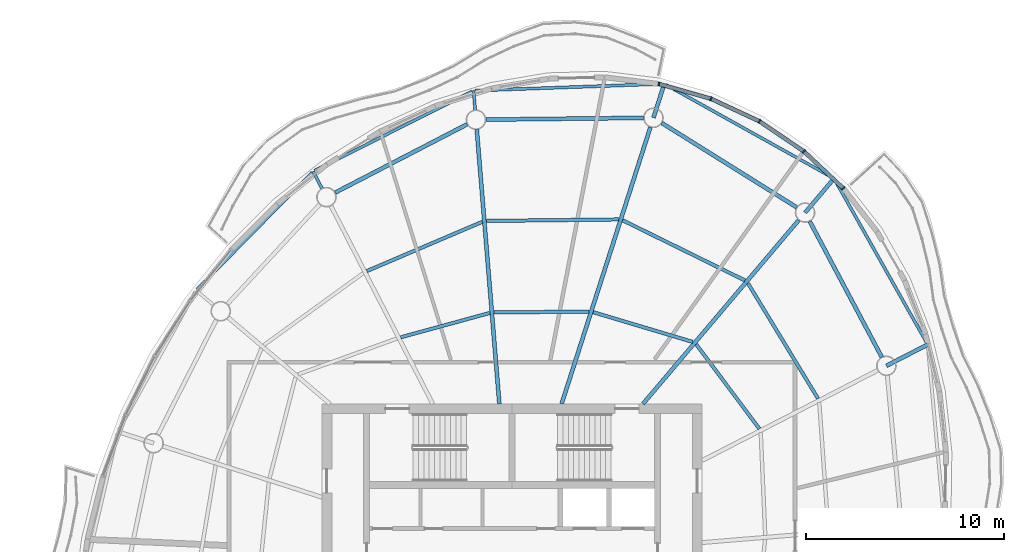
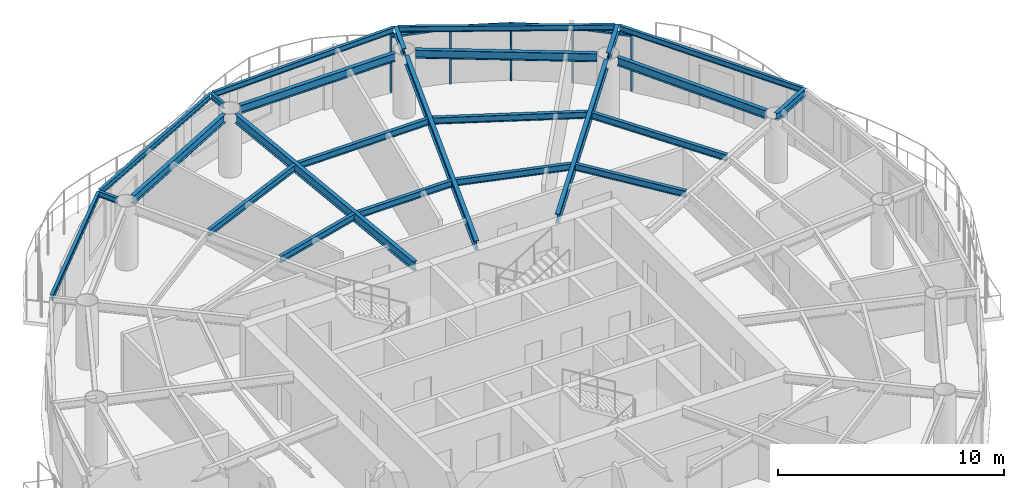
# One storey, part 5 of 13: 25 beams, 9 members, 4 elements without a shape of their own.
"""IFC4 building model written with IfcOpenShell, lengths in metres."""

import ifcopenshell
import ifcopenshell.guid

model = None  # the IFC model being written
_history = None  # IfcOwnerHistory: only IFC2X3 demands one
_inside = {}  # id of a spatial element -> (the spatial element, [elements in it])
_under = {}  # id of a project, library or spatial element -> (it, [spatial elements below it])
_declared = {}  # id of a project -> (the project, [libraries it declares])
_typed = {}  # id of a type object -> (the type object, [elements of that type])
_made_of = {}  # id of a material, layer set ... -> (it, [elements and type objects made of it])


def new_model(schema):
    """Start an empty IFC model of exactly this schema.

    Asked for "IFC4X3", IfcOpenShell would pick the latest addendum, in which some entities
    have other attributes; the version numbers below select the first issue.
    IFC2X3 requires an IfcOwnerHistory on every rooted entity: one is made here for all.
    """
    global model, _history
    if schema == "IFC4X3":
        model = ifcopenshell.file(schema_version=(4, 3, 0, 0))
    else:
        model = ifcopenshell.file(schema=schema)
    _inside.clear()
    _under.clear()
    _declared.clear()
    _typed.clear()
    _made_of.clear()
    _history = None
    if model.schema == "IFC2X3":
        org = make("IfcOrganization", Name="unknown")
        user = make(
            "IfcPersonAndOrganization",
            ThePerson=make("IfcPerson", FamilyName="unknown"),
            TheOrganization=org,
        )
        app = make(
            "IfcApplication",
            ApplicationDeveloper=org,
            Version="unknown",
            ApplicationFullName="unknown",
            ApplicationIdentifier="unknown",
        )
        _history = make(
            "IfcOwnerHistory",
            OwningUser=user,
            OwningApplication=app,
            ChangeAction="ADDED",
            CreationDate=0,
        )
    return model


def make(cls, **values):
    """One entity of the class cls with the attributes given. An attribute that is None is left unset."""
    return model.create_entity(
        cls, **{name: value for name, value in values.items() if value is not None}
    )


def rooted(cls, **values):
    """An entity with a GlobalId (a new one), such as an element, a storey or a relation."""
    return make(cls, GlobalId=ifcopenshell.guid.new(), OwnerHistory=_history, **values)


def si_unit(unit_type, name, prefix=None):
    """IfcSIUnit, for example si_unit("LENGTHUNIT", "METRE", prefix="MILLI")."""
    return make("IfcSIUnit", UnitType=unit_type, Prefix=prefix, Name=name)


def assignment(units):
    """IfcUnitAssignment: the units of a project."""
    return None if units is None else make("IfcUnitAssignment", Units=units)


def point(xyz):
    """IfcCartesianPoint."""
    return None if xyz is None else make("IfcCartesianPoint", Coordinates=xyz)


def direction(xyz):
    """IfcDirection."""
    return None if xyz is None else make("IfcDirection", DirectionRatios=xyz)


def frame(location, z_axis=None, x_axis=None):
    """IfcAxis2Placement3D, a coordinate frame: its origin and axes. An axis left out is left unset."""
    return make(
        "IfcAxis2Placement3D",
        Location=point(location),
        Axis=direction(z_axis),
        RefDirection=direction(x_axis),
    )


def frame_2d(location, x_axis=None):
    """IfcAxis2Placement2D, a coordinate frame in the plane: its origin and x axis."""
    return make(
        "IfcAxis2Placement2D", Location=point(location), RefDirection=direction(x_axis)
    )


def origin():
    """The frame at (0, 0, 0) with its axes left unset."""
    return frame((0.0, 0.0, 0.0))


def origin_2d():
    """The frame at (0, 0) in the plane with its x axis left unset."""
    return frame_2d((0.0, 0.0))


def place(relative_to, where):
    """IfcLocalPlacement: puts the frame where relative to a parent placement (None: the world)."""
    return make(
        "IfcLocalPlacement", PlacementRelTo=relative_to, RelativePlacement=where
    )


def context(
    kind, dimensions, precision=None, world=None, true_north=None, identifier=None
):
    """IfcGeometricRepresentationContext, for example the 3D "Model" context."""
    return make(
        "IfcGeometricRepresentationContext",
        ContextIdentifier=identifier,
        ContextType=kind,
        CoordinateSpaceDimension=dimensions,
        Precision=precision,
        WorldCoordinateSystem=world,
        TrueNorth=true_north,
    )


def subcontext(parent, identifier, kind, view, scale=None):
    """IfcGeometricRepresentationSubContext, for example "Body" below "Model"."""
    return make(
        "IfcGeometricRepresentationSubContext",
        ContextIdentifier=identifier,
        ContextType=kind,
        ParentContext=parent,
        TargetScale=scale,
        TargetView=view,
    )


def project(units=None, contexts=None):
    """IfcProject with its units and contexts."""
    return rooted(
        "IfcProject",
        Name="project",
        RepresentationContexts=contexts,
        UnitsInContext=assignment(units),
    )


def spatial(cls, under=None, at=None, **own):
    """A site, building, storey or space (cls), placed at a placement, below another one or the project."""
    s = rooted(cls, ObjectPlacement=at, **own)
    if under is not None:
        _under.setdefault(under.id(), (under, []))[1].append(s)
    return s


def profile(cls, at=None, kind="AREA", **sizes):
    """A parametric profile (cls). Its sizes go by their IFC names, for example OverallWidth=200.0."""
    return make(cls, ProfileType=kind, Position=at, **sizes)


def rectangle(**sizes):
    """IfcRectangleProfileDef."""
    return profile("IfcRectangleProfileDef", **sizes)


def i_section(**sizes):
    """IfcIShapeProfileDef."""
    return profile("IfcIShapeProfileDef", **sizes)


def extrude(swept, where, along, depth):
    """IfcExtrudedAreaSolid: the profile swept, set in the frame where, extruded along a direction by depth."""
    return make(
        "IfcExtrudedAreaSolid",
        SweptArea=swept,
        Position=where,
        ExtrudedDirection=direction(along),
        Depth=depth,
    )


def shape(context_of_items, identifier, shape_type, items):
    """IfcShapeRepresentation: the items that make up one representation, for example the "Body"."""
    return make(
        "IfcShapeRepresentation",
        ContextOfItems=context_of_items,
        RepresentationIdentifier=identifier,
        RepresentationType=shape_type,
        Items=items,
    )


def material(Name=None, Category=None):
    """IfcMaterial."""
    return make("IfcMaterial", Name=Name, Category=Category)


def material_profile(
    of_material, cross_section, Name=None, Category=None, Priority=None
):
    """IfcMaterialProfile: a cross section and its material."""
    return make(
        "IfcMaterialProfile",
        Name=Name,
        Material=of_material,
        Profile=cross_section,
        Priority=Priority,
        Category=Category,
    )


def profile_set(profiles, Name=None, composite=None):
    """IfcMaterialProfileSet."""
    return make(
        "IfcMaterialProfileSet",
        Name=Name,
        MaterialProfiles=profiles,
        CompositeProfile=composite,
    )


def made_of(thing, what):
    """Note that an element or type object is made of a material, layer set ...; save() writes the relation."""
    if what is not None:
        _made_of.setdefault(what.id(), (what, []))[1].append(thing)
    return thing


def type_object(cls, material=None, **own):
    """A type object (cls), such as IfcWallType, which elements share."""
    return made_of(rooted(cls, **own), material)


def element(
    cls,
    number,
    at=None,
    inside=None,
    cuts=None,
    type_object=None,
    material=None,
    context=None,
    identifier="Body",
    shape_type=None,
    held_by="IfcProductDefinitionShape",
    body=None,
    shapes=None,
    **own,
):
    """One element of the class cls, such as IfcWall. Its Tag is "e" and its number.

    at: its placement. inside: the storey or other place that contains it. cuts: it is an
    opening in that element (IfcRelVoidsElement). A single representation is given by context,
    identifier, shape_type and body (its items); several are given by shapes. held_by: the class
    of the entity that holds the representations. save() writes the other relations.
    """
    e = rooted(cls, Tag="e%d" % number, ObjectPlacement=at, **own)
    if body is not None:
        shapes = [shape(context, identifier, shape_type, body)]
    if shapes is not None:
        e.Representation = make(held_by, Representations=shapes)
    if inside is not None:
        _inside.setdefault(inside.id(), (inside, []))[1].append(e)
    if cuts is not None:
        rooted(
            "IfcRelVoidsElement", RelatingBuildingElement=cuts, RelatedOpeningElement=e
        )
    if type_object is not None:
        _typed.setdefault(type_object.id(), (type_object, []))[1].append(e)
    return made_of(e, material)


def aggregate(whole, parts):
    """IfcRelAggregates: a whole, such as a stair, and the parts it consists of."""
    return rooted("IfcRelAggregates", RelatingObject=whole, RelatedObjects=parts)


def save(model, path):
    """Write the relations noted so far, then the file.

    IfcRelAggregates (storeys below a building ...), IfcRelContainedInSpatialStructure (elements
    in a storey), IfcRelDefinesByType, IfcRelAssociatesMaterial and IfcRelDeclares: one each for
    every whole, place, type object, material and project.
    """
    for whole, parts in _under.values():
        aggregate(whole, parts)
    for where, things in _inside.values():
        rooted(
            "IfcRelContainedInSpatialStructure",
            RelatedElements=things,
            RelatingStructure=where,
        )
    for kind, things in _typed.values():
        rooted("IfcRelDefinesByType", RelatedObjects=things, RelatingType=kind)
    for what, things in _made_of.values():
        rooted("IfcRelAssociatesMaterial", RelatedObjects=things, RelatingMaterial=what)
    for by, libraries in _declared.values():
        rooted("IfcRelDeclares", RelatingContext=by, RelatedDefinitions=libraries)
    model.write(path)


model = new_model("IFC4")

# Units and contexts
model_context = context("Model", 3, precision=1e-05, world=origin(), true_north=direction((0.0, 1.0)))
body_context = subcontext(model_context, "Body", "Model", "MODEL_VIEW")
ifc_project = project(units=[si_unit("LENGTHUNIT", "METRE"), si_unit("AREAUNIT", "SQUARE_METRE"), si_unit("VOLUMEUNIT", "CUBIC_METRE"), si_unit("PLANEANGLEUNIT", "RADIAN"), si_unit("MASSUNIT", "GRAM", prefix="KILO")], contexts=[model_context])

# Site, building, storey
site_placement = place(None, origin())
site = spatial("IfcSite", under=ifc_project, at=site_placement, CompositionType="ELEMENT")
building_placement = place(site_placement, origin())
building = spatial("IfcBuilding", under=site, at=building_placement, Name="Vermilion Reach Broadcast Tower", CompositionType="ELEMENT")
storey_placement = place(building_placement, frame((0.0, 0.0, 275.699951171875)))
storey = spatial("IfcBuildingStorey", under=building, at=storey_placement, Name="L68", CompositionType="ELEMENT", Elevation=275.699951171875)

# Beams
ifc_material_1 = material(Name="Steel S355J2", Category="steel")
ifc_material_profile_1 = material_profile(ifc_material_1, i_section(OverallWidth=0.14990234375, OverallDepth=0.300048828125, WebThickness=0.006591796875, FlangeThickness=0.009033203125, at=origin_2d()), Name="S355J2 HN 300x150x6.5x9")
ifc_profile_set_1 = profile_set([ifc_material_profile_1], Name="Steel S355J2")
beam_type_1 = type_object("IfcBeamType", Name="EB5 HN 300x150x6.5x9", PredefinedType="BEAM", material=ifc_profile_set_1)
beam_1_placement = place(storey_placement, frame((1.582275390625, 23.95751953125, 3.300048828125), z_axis=(-0.999363643199, -0.035669435819, 0.0), x_axis=(0.035669435819, -0.999363643199, 0.0)))
element("IfcBeam", 1, at=beam_1_placement, inside=storey, type_object=beam_type_1, Name="Edge beam EB5-01", PredefinedType="BEAM", context=body_context, shape_type="SweptSolid", body=[
    extrude(i_section(OverallWidth=0.14990234375, OverallDepth=0.300048828125, WebThickness=0.006591796875, FlangeThickness=0.009033203125, at=origin_2d()), origin(), (0.0, 0.0, 1.0), 9.459228515625),
])
beam_2_placement = place(storey_placement, frame((-8.01806640625, 23.5810546875, 3.300048828125), z_axis=(-0.893246278175, -0.449567666238, 0.0), x_axis=(0.449567666238, -0.893246278175, 0.0)))
element("IfcBeam", 2, at=beam_2_placement, inside=storey, type_object=beam_type_1, Name="Edge beam EB5-02", PredefinedType="BEAM", context=body_context, shape_type="SweptSolid", body=[
    extrude(i_section(OverallWidth=0.14990234375, OverallDepth=0.300048828125, WebThickness=0.006591796875, FlangeThickness=0.009033203125, at=origin_2d()), origin(), (0.0, 0.0, 1.0), 8.9130859375),
])
beam_3_placement = place(storey_placement, frame((-16.10205078125, 19.48388671875, 3.300048828125), z_axis=(-0.701048969019, -0.713113134809, 0.0), x_axis=(0.713113134809, -0.701048969019, 0.0)))
element("IfcBeam", 3, at=beam_3_placement, inside=storey, type_object=beam_type_1, Name="Edge beam EB5-03", PredefinedType="BEAM", context=body_context, shape_type="SweptSolid", body=[
    extrude(i_section(OverallWidth=0.14990234375, OverallDepth=0.300048828125, WebThickness=0.006591796875, FlangeThickness=0.009033203125, at=origin_2d()), origin(), (0.0, 0.0, 1.0), 8.27685546875),
])
beam_4_placement = place(storey_placement, frame((14.943359375, 10.88037109375, 3.300048828125), z_axis=(-0.49123753471, 0.871025650881, 0.0), x_axis=(-0.871025650881, -0.49123753471, 0.0)))
element("IfcBeam", 4, at=beam_4_placement, inside=storey, type_object=beam_type_1, Name="Edge beam EB5-15", PredefinedType="BEAM", context=body_context, shape_type="SweptSolid", body=[
    extrude(i_section(OverallWidth=0.14990234375, OverallDepth=0.300048828125, WebThickness=0.006591796875, FlangeThickness=0.009033203125, at=origin_2d()), origin(), (0.0, 0.0, 1.0), 9.423828125),
])
beam_5_placement = place(storey_placement, frame((10.172607421875, 19.2314453125, 3.300048828125), z_axis=(-0.873426619931, 0.486955788132, 0.0), x_axis=(-0.486955788132, -0.873426619931, 0.0)))
element("IfcBeam", 5, at=beam_5_placement, inside=storey, type_object=beam_type_1, Name="Edge beam EB5-16", PredefinedType="BEAM", context=body_context, shape_type="SweptSolid", body=[
    extrude(i_section(OverallWidth=0.14990234375, OverallDepth=0.300048828125, WebThickness=0.006591796875, FlangeThickness=0.009033203125, at=origin_2d()), origin(), (0.0, 0.0, 1.0), 9.611572265625),
])
ifc_material_2 = material(Name="Steel S355J2", Category="steel")
ifc_material_profile_2 = material_profile(ifc_material_2, i_section(OverallWidth=0.199951171875, OverallDepth=0.5, WebThickness=0.010009765625, FlangeThickness=0.01611328125, at=origin_2d()), Name="S355J2 HN 500x200x10x16")
ifc_profile_set_2 = profile_set([ifc_material_profile_2], Name="Steel S355J2")
beam_type_2 = type_object("IfcBeamType", Name="G5 HN 500x200x10x16", PredefinedType="BEAM", material=ifc_profile_set_2)
beam_6_placement = place(storey_placement, frame((-3.497314453125, 7.800048828125, 3.199951171875), z_axis=(0.305545401295, 0.952177508528, 0.0), x_axis=(-0.952177508528, 0.305545401295, 0.0)))
element("IfcBeam", 6, at=beam_6_placement, inside=storey, type_object=beam_type_2, Name="Girder G5-01", PredefinedType="BEAM", context=body_context, shape_type="SweptSolid", body=[
    extrude(i_section(OverallWidth=0.199951171875, OverallDepth=0.5, WebThickness=0.010009765625, FlangeThickness=0.01611328125, at=origin_2d()), origin(), (0.0, 0.0, 1.0), 14.672607421875),
])
beam_7_placement = place(storey_placement, frame((-6.642578125, 7.800048828125, 3.199951171875), z_axis=(-0.082123744247, 0.996622140347, 0.0), x_axis=(-0.996622140347, -0.082123744247, 0.0)))
element("IfcBeam", 7, at=beam_7_placement, inside=storey, type_object=beam_type_2, Name="Girder G5-02", PredefinedType="BEAM", context=body_context, shape_type="SweptSolid", body=[
    extrude(i_section(OverallWidth=0.199951171875, OverallDepth=0.5, WebThickness=0.010009765625, FlangeThickness=0.01611328125, at=origin_2d()), origin(), (0.0, 0.0, 1.0), 13.89794921875),
])
beam_8_placement = place(storey_placement, frame((0.612548828125, 7.800048828125, 3.199951171875), z_axis=(0.646658335602, 0.762779782766, 0.0), x_axis=(-0.762779782766, 0.646658335602, 0.0)))
element("IfcBeam", 8, at=beam_8_placement, inside=storey, type_object=beam_type_2, Name="Girder G5-16", PredefinedType="BEAM", context=body_context, shape_type="SweptSolid", body=[
    extrude(i_section(OverallWidth=0.199951171875, OverallDepth=0.5, WebThickness=0.010009765625, FlangeThickness=0.01611328125, at=origin_2d()), origin(), (0.0, 0.0, 1.0), 12.16064453125),
])
ifc_material_3 = material(Name="Steel S355J2", Category="steel")
ifc_material_profile_3 = material_profile(ifc_material_3, i_section(OverallWidth=0.199951171875, OverallDepth=0.39990234375, WebThickness=0.008056640625, FlangeThickness=0.012939453125, at=origin_2d()), Name="S355J2 HN 400x200x8x13")
ifc_profile_set_3 = profile_set([ifc_material_profile_3], Name="Steel S355J2")
beam_type_3 = type_object("IfcBeamType", Name="GC5 HN 400x200x8x13", PredefinedType="BEAM", material=ifc_profile_set_3)
beam_9_placement = place(storey_placement, frame((1.138427734375, 22.2470703125, 3.25), z_axis=(0.30550874744, 0.952189269651, 0.0), x_axis=(-0.952189269651, 0.30550874744, 0.0)))
element("IfcBeam", 9, at=beam_9_placement, inside=storey, type_object=beam_type_3, Name="Cantilever girder GC5-01", PredefinedType="BEAM", context=body_context, shape_type="SweptSolid", body=[
    extrude(i_section(OverallWidth=0.199951171875, OverallDepth=0.39990234375, WebThickness=0.008056640625, FlangeThickness=0.012939453125, at=origin_2d()), origin(), (0.0, 0.0, 1.0), 1.800537109375),
])
beam_10_placement = place(storey_placement, frame((12.905517578125, 9.72021484375, 3.25), z_axis=(0.889334948118, 0.457256328612, 0.0), x_axis=(-0.457256328612, 0.889334948118, 0.0)))
element("IfcBeam", 10, at=beam_10_placement, inside=storey, type_object=beam_type_3, Name="Cantilever girder GC5-15", PredefinedType="BEAM", context=body_context, shape_type="SweptSolid", body=[
    extrude(i_section(OverallWidth=0.199951171875, OverallDepth=0.39990234375, WebThickness=0.008056640625, FlangeThickness=0.012939453125, at=origin_2d()), origin(), (0.0, 0.0, 1.0), 2.3466796875),
])
beam_11_placement = place(storey_placement, frame((8.799560546875, 17.457275390625, 3.25), z_axis=(0.646672958493, 0.762767385744, 0.0), x_axis=(-0.762767385744, 0.646672958493, 0.0)))
element("IfcBeam", 11, at=beam_11_placement, inside=storey, type_object=beam_type_3, Name="Cantilever girder GC5-16", PredefinedType="BEAM", context=body_context, shape_type="SweptSolid", body=[
    extrude(i_section(OverallWidth=0.199951171875, OverallDepth=0.39990234375, WebThickness=0.008056640625, FlangeThickness=0.012939453125, at=origin_2d()), origin(), (0.0, 0.0, 1.0), 2.2607421875),
])
ifc_material_4 = material(Name="Steel S355J2", Category="steel")
ifc_material_profile_4 = material_profile(ifc_material_4, i_section(OverallWidth=0.14990234375, OverallDepth=0.300048828125, WebThickness=0.006591796875, FlangeThickness=0.009033203125, at=origin_2d()), Name="S355J2 HN 300x150x6.5x9")
ifc_profile_set_4 = profile_set([ifc_material_profile_4], Name="Steel S355J2")
beam_type_4 = type_object("IfcBeamType", Name="GS5 HN 300x150x6.5x9", PredefinedType="BEAM", material=ifc_profile_set_4)
for number, where, z_axis, x_axis, name in (
    (12, (-7.86376953125, 22.620849609375, 3.300048828125), (-0.082035152054, 0.996629436565, 0.0), (-0.996629436565, -0.082035152054, 0.0), "Cantilever stub GS5-02"),
    (13, (-15.58935546875, 18.65087890625, 3.300048828125), (-0.457243204998, 0.889341695572, 0.0), (-0.889341695572, -0.457243204998, 0.0), "Cantilever stub GS5-03"),
):
    element("IfcBeam", number, at=place(storey_placement, frame(where, z_axis=z_axis, x_axis=x_axis)), inside=storey, type_object=beam_type_4, Name=name, PredefinedType="BEAM", context=body_context, shape_type="SweptSolid", body=[
        extrude(i_section(OverallWidth=0.14990234375, OverallDepth=0.300048828125, WebThickness=0.006591796875, FlangeThickness=0.009033203125, at=origin_2d()), origin(), (0.0, 0.0, 1.0), 1.0),
    ])
ifc_material_5 = material(Name="Steel S355J2", Category="steel")
ifc_material_profile_5 = material_profile(ifc_material_5, i_section(OverallWidth=0.199951171875, OverallDepth=0.449951171875, WebThickness=0.009033203125, FlangeThickness=0.013916015625, at=origin_2d()), Name="S355J2 HN 450x200x9x14")
ifc_profile_set_5 = profile_set([ifc_material_profile_5], Name="Steel S355J2")
beam_type_5 = type_object("IfcBeamType", Name="RB5 HN 450x200x9x14", PredefinedType="BEAM", material=ifc_profile_set_5)
beam_12_placement = place(storey_placement, frame((0.638427734375, 22.24169921875, 3.22509765625), z_axis=(-0.999940445231, -0.010913569149, 0.0), x_axis=(0.010913569149, -0.999940445231, 0.0)))
element("IfcBeam", 14, at=beam_12_placement, inside=storey, type_object=beam_type_5, Name="Ring beam RB5-01", PredefinedType="BEAM", context=body_context, shape_type="SweptSolid", body=[
    extrude(i_section(OverallWidth=0.199951171875, OverallDepth=0.449951171875, WebThickness=0.009033203125, FlangeThickness=0.013916015625, at=origin_2d()), origin(), (0.0, 0.0, 1.0), 7.9638671875),
])
beam_13_placement = place(storey_placement, frame((-8.268798828125, 21.91943359375, 3.22509765625), z_axis=(-0.887960248279, -0.459920207729, 0.0), x_axis=(0.459920207729, -0.887960248279, 0.0)))
element("IfcBeam", 15, at=beam_13_placement, inside=storey, type_object=beam_type_5, Name="Ring beam RB5-02", PredefinedType="BEAM", context=body_context, shape_type="SweptSolid", body=[
    extrude(i_section(OverallWidth=0.199951171875, OverallDepth=0.449951171875, WebThickness=0.009033203125, FlangeThickness=0.013916015625, at=origin_2d()), origin(), (0.0, 0.0, 1.0), 7.5048828125),
])
beam_14_placement = place(storey_placement, frame((12.671142578125, 10.161865234375, 3.22509765625), z_axis=(-0.468767917375, 0.883321368269, 0.0), x_axis=(-0.883321368269, -0.468767917375, 0.0)))
element("IfcBeam", 16, at=beam_14_placement, inside=storey, type_object=beam_type_5, Name="Ring beam RB5-15", PredefinedType="BEAM", context=body_context, shape_type="SweptSolid", body=[
    extrude(i_section(OverallWidth=0.199951171875, OverallDepth=0.449951171875, WebThickness=0.009033203125, FlangeThickness=0.013916015625, at=origin_2d()), origin(), (0.0, 0.0, 1.0), 7.759033203125),
])
beam_15_placement = place(storey_placement, frame((8.375732421875, 17.722412109375, 3.22509765625), z_axis=(-0.847914653245, 0.530132757724, 0.0), x_axis=(-0.530132757724, -0.847914653245, 0.0)))
element("IfcBeam", 17, at=beam_15_placement, inside=storey, type_object=beam_type_5, Name="Ring beam RB5-16", PredefinedType="BEAM", context=body_context, shape_type="SweptSolid", body=[
    extrude(i_section(OverallWidth=0.199951171875, OverallDepth=0.449951171875, WebThickness=0.009033203125, FlangeThickness=0.013916015625, at=origin_2d()), origin(), (0.0, 0.0, 1.0), 8.035400390625),
])
ifc_material_6 = material(Name="Steel S355J2", Category="steel")
ifc_material_profile_6 = material_profile(ifc_material_6, i_section(OverallWidth=0.175048828125, OverallDepth=0.35009765625, WebThickness=0.007080078125, FlangeThickness=0.010986328125, at=origin_2d()), Name="S355J2 HN 350x175x7x11")
ifc_profile_set_6 = profile_set([ifc_material_profile_6], Name="Steel S355J2")
beam_type_6 = type_object("IfcBeamType", Name="SB5 HN 350x175x7x11", PredefinedType="BEAM", material=ifc_profile_set_6)
beam_16_placement = place(storey_placement, frame((-2.108154296875, 12.4560546875, 3.275146484375), z_axis=(-0.999968312294, -0.007960804474, 0.0), x_axis=(0.007960804474, -0.999968312294, 0.0)))
element("IfcBeam", 18, at=beam_16_placement, inside=storey, type_object=beam_type_6, Name="Secondary beam SB5-01-1", PredefinedType="BEAM", context=body_context, shape_type="SweptSolid", body=[
    extrude(i_section(OverallWidth=0.175048828125, OverallDepth=0.35009765625, WebThickness=0.007080078125, FlangeThickness=0.010986328125, at=origin_2d()), origin(), (0.0, 0.0, 1.0), 4.81494140625),
])
beam_17_placement = place(storey_placement, frame((-0.614013671875, 17.11279296875, 3.275146484375), z_axis=(-0.999932654133, -0.011605481368, 0.0), x_axis=(0.011605481368, -0.999932654133, 0.0)))
element("IfcBeam", 19, at=beam_17_placement, inside=storey, type_object=beam_type_6, Name="Secondary beam SB5-01-2", PredefinedType="BEAM", context=body_context, shape_type="SweptSolid", body=[
    extrude(i_section(OverallWidth=0.175048828125, OverallDepth=0.35009765625, WebThickness=0.007080078125, FlangeThickness=0.010986328125, at=origin_2d()), origin(), (0.0, 0.0, 1.0), 6.689697265625),
])
beam_18_placement = place(storey_placement, frame((-7.12109375, 12.39013671875, 3.275146484375), z_axis=(-0.964547496851, -0.263909314573, 0.0), x_axis=(0.263909314573, -0.964547496851, 0.0)))
element("IfcBeam", 20, at=beam_18_placement, inside=storey, type_object=beam_type_6, Name="Secondary beam SB5-02-1", PredefinedType="BEAM", context=body_context, shape_type="SweptSolid", body=[
    extrude(i_section(OverallWidth=0.175048828125, OverallDepth=0.35009765625, WebThickness=0.007080078125, FlangeThickness=0.010986328125, at=origin_2d()), origin(), (0.0, 0.0, 1.0), 4.6689453125),
])
beam_19_placement = place(storey_placement, frame((-7.50048828125, 16.99267578125, 3.275146484375), z_axis=(-0.919880986172, -0.392197617637, 0.0), x_axis=(0.392197617637, -0.919880986172, 0.0)))
element("IfcBeam", 21, at=beam_19_placement, inside=storey, type_object=beam_type_6, Name="Secondary beam SB5-02-2", PredefinedType="BEAM", context=body_context, shape_type="SweptSolid", body=[
    extrude(i_section(OverallWidth=0.175048828125, OverallDepth=0.35009765625, WebThickness=0.007080078125, FlangeThickness=0.010986328125, at=origin_2d()), origin(), (0.0, 0.0, 1.0), 6.351806640625),
])
beam_20_placement = place(storey_placement, frame((6.492919921875, 6.53564453125, 3.275146484375), z_axis=(-0.599055582645, 0.800707442767, 0.0), x_axis=(-0.800707442767, -0.599055582645, 0.0)))
element("IfcBeam", 22, at=beam_20_placement, inside=storey, type_object=beam_type_6, Name="Secondary beam SB5-15-1", PredefinedType="BEAM", context=body_context, shape_type="SweptSolid", body=[
    extrude(i_section(OverallWidth=0.175048828125, OverallDepth=0.35009765625, WebThickness=0.007080078125, FlangeThickness=0.010986328125, at=origin_2d()), origin(), (0.0, 0.0, 1.0), 5.337890625),
])
beam_21_placement = place(storey_placement, frame((9.455078125, 8.058837890625, 3.275146484375), z_axis=(-0.519272962556, 0.854608442714, 0.0), x_axis=(-0.854608442714, -0.519272962556, 0.0)))
element("IfcBeam", 23, at=beam_21_placement, inside=storey, type_object=beam_type_6, Name="Secondary beam SB5-15-2", PredefinedType="BEAM", context=body_context, shape_type="SweptSolid", body=[
    extrude(i_section(OverallWidth=0.175048828125, OverallDepth=0.35009765625, WebThickness=0.007080078125, FlangeThickness=0.010986328125, at=origin_2d()), origin(), (0.0, 0.0, 1.0), 6.82763671875),
])
beam_22_placement = place(storey_placement, frame((3.129150390625, 10.92333984375, 3.275146484375), z_axis=(-0.958124906971, 0.286350593925, 0.0), x_axis=(-0.286350593925, -0.958124906971, 0.0)))
element("IfcBeam", 24, at=beam_22_placement, inside=storey, type_object=beam_type_6, Name="Secondary beam SB5-16-1", PredefinedType="BEAM", context=body_context, shape_type="SweptSolid", body=[
    extrude(i_section(OverallWidth=0.175048828125, OverallDepth=0.35009765625, WebThickness=0.007080078125, FlangeThickness=0.010986328125, at=origin_2d()), origin(), (0.0, 0.0, 1.0), 5.25634765625),
])
beam_23_placement = place(storey_placement, frame((5.762451171875, 14.029541015625, 3.275146484375), z_axis=(-0.897335928087, 0.441348198325, 0.0), x_axis=(-0.441348198325, -0.897335928087, 0.0)))
element("IfcBeam", 25, at=beam_23_placement, inside=storey, type_object=beam_type_6, Name="Secondary beam SB5-16-2", PredefinedType="BEAM", context=body_context, shape_type="SweptSolid", body=[
    extrude(i_section(OverallWidth=0.175048828125, OverallDepth=0.35009765625, WebThickness=0.007080078125, FlangeThickness=0.010986328125, at=origin_2d()), origin(), (0.0, 0.0, 1.0), 6.887451171875),
])

# Curtain wall, member
ifc_material_7 = material(Name="Low-e laminated clear glass in aluminium frame", Category="aluminium")
curtain_wall_type = type_object("IfcCurtainWallType", Name="Slot curtain wall", PredefinedType="NOTDEFINED", material=ifc_material_7)
placement = place(storey_placement, origin())
curtain_wall_1 = element("IfcCurtainWall", 26, at=placement, inside=storey, type_object=curtain_wall_type, Name="Slot curtain wall L68 46", PredefinedType="NOTDEFINED")
ifc_material_8 = material(Name="Anodised aluminium", Category="aluminium")
ifc_material_profile_7 = material_profile(ifc_material_8, rectangle(XDim=0.199951171875, YDim=0.080078125, at=origin_2d()), Name="Slot mullion 80 x 200")
ifc_profile_set_7 = profile_set([ifc_material_profile_7], Name="Anodised aluminium")
member_type_1 = type_object("IfcMemberType", Name="Slot mullion 80 x 200", PredefinedType="MULLION", material=ifc_profile_set_7)
member_1_placement = place(storey_placement, frame((10.72607421875, 18.683837890625, 0.0), z_axis=(0.0, 0.0, 1.0), x_axis=(-0.738378708963, -0.674386300387, 0.0)))
member_1 = element("IfcMember", 27, at=member_1_placement, type_object=member_type_1, Name="Slot mullion L68 46", PredefinedType="MULLION", context=body_context, shape_type="SweptSolid", body=[
    extrude(rectangle(XDim=0.199951171875, YDim=0.080078125, at=origin_2d()), origin(), (0.0, 0.0, 1.0), 3.050048828125),
])

curtain_wall_2 = element("IfcCurtainWall", 28, at=placement, inside=storey, type_object=curtain_wall_type, Name="Slot curtain wall L68 47", PredefinedType="NOTDEFINED")
member_2_placement = place(storey_placement, frame((8.73583984375, 20.55078125, 0.0), z_axis=(0.0, 0.0, 1.0), x_axis=(-0.62427385943, -0.781205573734, 0.0)))
member_2 = element("IfcMember", 29, at=member_2_placement, type_object=member_type_1, Name="Slot mullion L68 47", PredefinedType="MULLION", context=body_context, shape_type="SweptSolid", body=[
    extrude(rectangle(XDim=0.199951171875, YDim=0.080078125, at=origin_2d()), origin(), (0.0, 0.0, 1.0), 3.050048828125),
])

curtain_wall_3 = element("IfcCurtainWall", 30, at=placement, inside=storey, type_object=curtain_wall_type, Name="Slot curtain wall L68 00", PredefinedType="NOTDEFINED")
member_3_placement = place(storey_placement, frame((6.4951171875, 22.0673828125, 0.0), z_axis=(0.0, 0.0, 1.0), x_axis=(-0.492727401585, -0.870183720675, 0.0)))
member_3 = element("IfcMember", 31, at=member_3_placement, type_object=member_type_1, Name="Slot mullion L68 00", PredefinedType="MULLION", context=body_context, shape_type="SweptSolid", body=[
    extrude(rectangle(XDim=0.199951171875, YDim=0.080078125, at=origin_2d()), origin(), (0.0, 0.0, 1.0), 3.050048828125),
])

# Curtain wall, members
curtain_wall_4 = element("IfcCurtainWall", 32, at=placement, inside=storey, type_object=curtain_wall_type, Name="Slot curtain wall L68 01", PredefinedType="NOTDEFINED")
member_4_placement = place(storey_placement, frame((4.042236328125, 23.20849609375, 0.0), z_axis=(0.0, 0.0, 1.0), x_axis=(-0.348753488425, -0.937214492158, 0.0)))
member_4 = element("IfcMember", 33, at=member_4_placement, type_object=member_type_1, Name="Slot mullion L68 01", PredefinedType="MULLION", context=body_context, shape_type="SweptSolid", body=[
    extrude(rectangle(XDim=0.199951171875, YDim=0.080078125, at=origin_2d()), origin(), (0.0, 0.0, 1.0), 3.050048828125),
])
member_5_placement = place(storey_placement, frame((1.417236328125, 23.954833984375, 0.0), z_axis=(0.0, 0.0, 1.0), x_axis=(-0.198453088744, -0.98011038744, 0.0)))
member_5 = element("IfcMember", 34, at=member_5_placement, type_object=member_type_1, Name="Slot mullion L68 02", PredefinedType="MULLION", context=body_context, shape_type="SweptSolid", body=[
    extrude(rectangle(XDim=0.199951171875, YDim=0.080078125, at=origin_2d()), origin(), (0.0, 0.0, 1.0), 3.050048828125),
])

# Member
ifc_material_9 = material(Name="Anodised aluminium", Category="aluminium")
ifc_material_profile_8 = material_profile(ifc_material_9, rectangle(XDim=0.199951171875, YDim=0.10009765625, at=origin_2d()), Name="Slot transom 200 x 100")
ifc_profile_set_8 = profile_set([ifc_material_profile_8], Name="Anodised aluminium")
member_type_2 = type_object("IfcMemberType", Name="Slot transom 200 x 100", PredefinedType="USERDEFINED", material=ifc_profile_set_8)
member_6_placement = place(storey_placement, frame((10.697021484375, 18.711181640625, 3.0), z_axis=(-0.729370486035, 0.684118918099, 0.0), x_axis=(-0.684118918099, -0.729370486035, 0.0)))
member_6 = element("IfcMember", 35, at=member_6_placement, type_object=member_type_2, Name="Slot transom L68 46.1", ObjectType="TRANSOM", PredefinedType="USERDEFINED", context=body_context, shape_type="SweptSolid", body=[
    extrude(rectangle(XDim=0.199951171875, YDim=0.10009765625, at=origin_2d()), origin(), (0.0, 0.0, 1.0), 2.64892578125),
])

aggregate(curtain_wall_1, [member_1, member_6])

member_7_placement = place(storey_placement, frame((8.70263671875, 20.5732421875, 3.0), z_axis=(-0.828138690629, 0.560523245802, 0.0), x_axis=(-0.560523245802, -0.828138690629, 0.0)))
member_7 = element("IfcMember", 36, at=member_7_placement, type_object=member_type_2, Name="Slot transom L68 47.1", ObjectType="TRANSOM", PredefinedType="USERDEFINED", context=body_context, shape_type="SweptSolid", body=[
    extrude(rectangle(XDim=0.199951171875, YDim=0.10009765625, at=origin_2d()), origin(), (0.0, 0.0, 1.0), 2.62548828125),
])

aggregate(curtain_wall_2, [member_2, member_7])

member_8_placement = place(storey_placement, frame((6.458984375, 22.084228515625, 3.0), z_axis=(-0.906697957267, 0.421780528578, 0.0), x_axis=(-0.421780528578, -0.906697957267, 0.0)))
member_8 = element("IfcMember", 37, at=member_8_placement, type_object=member_type_2, Name="Slot transom L68 00.1", ObjectType="TRANSOM", PredefinedType="USERDEFINED", context=body_context, shape_type="SweptSolid", body=[
    extrude(rectangle(XDim=0.199951171875, YDim=0.10009765625, at=origin_2d()), origin(), (0.0, 0.0, 1.0), 2.62548828125),
])

aggregate(curtain_wall_3, [member_3, member_8])

member_9_placement = place(storey_placement, frame((4.003662109375, 23.21923828125, 3.0), z_axis=(-0.961857126295, 0.273552314186, 0.0), x_axis=(-0.273552314186, -0.961857126295, 0.0)))
member_9 = element("IfcMember", 38, at=member_9_placement, type_object=member_type_2, Name="Slot transom L68 01.1", ObjectType="TRANSOM", PredefinedType="USERDEFINED", context=body_context, shape_type="SweptSolid", body=[
    extrude(rectangle(XDim=0.199951171875, YDim=0.10009765625, at=origin_2d()), origin(), (0.0, 0.0, 1.0), 2.64892578125),
])

aggregate(curtain_wall_4, [member_4, member_5, member_9])

save(model, "model.ifc")
